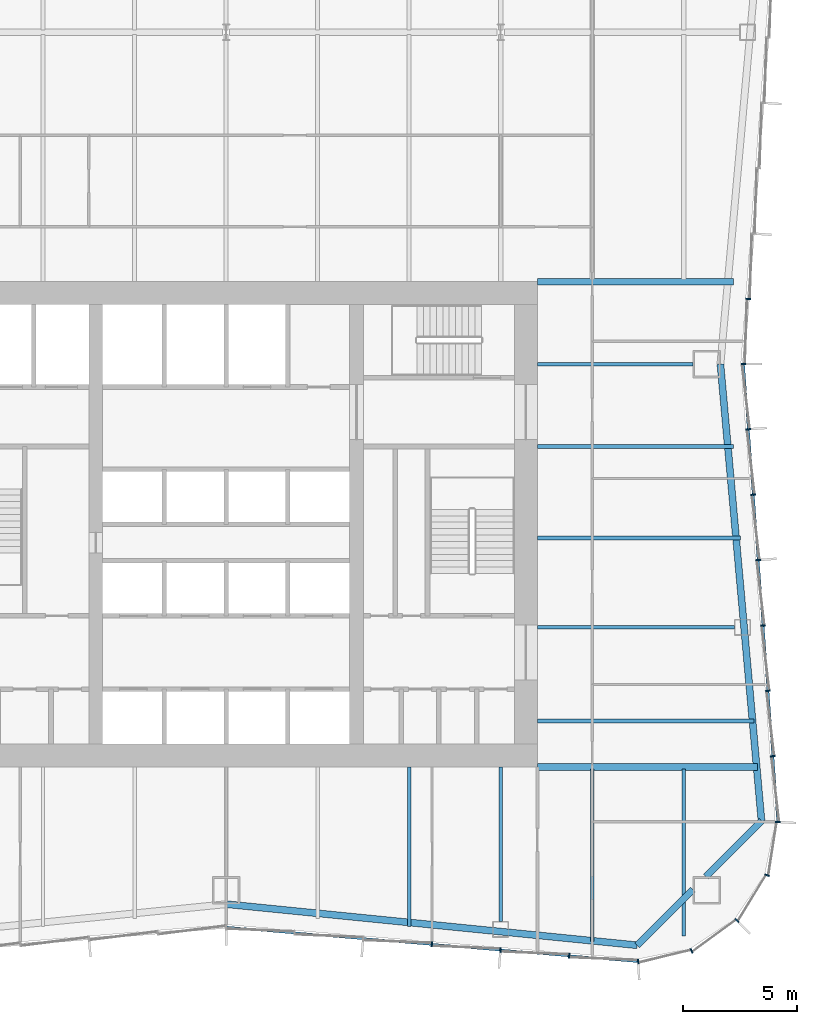
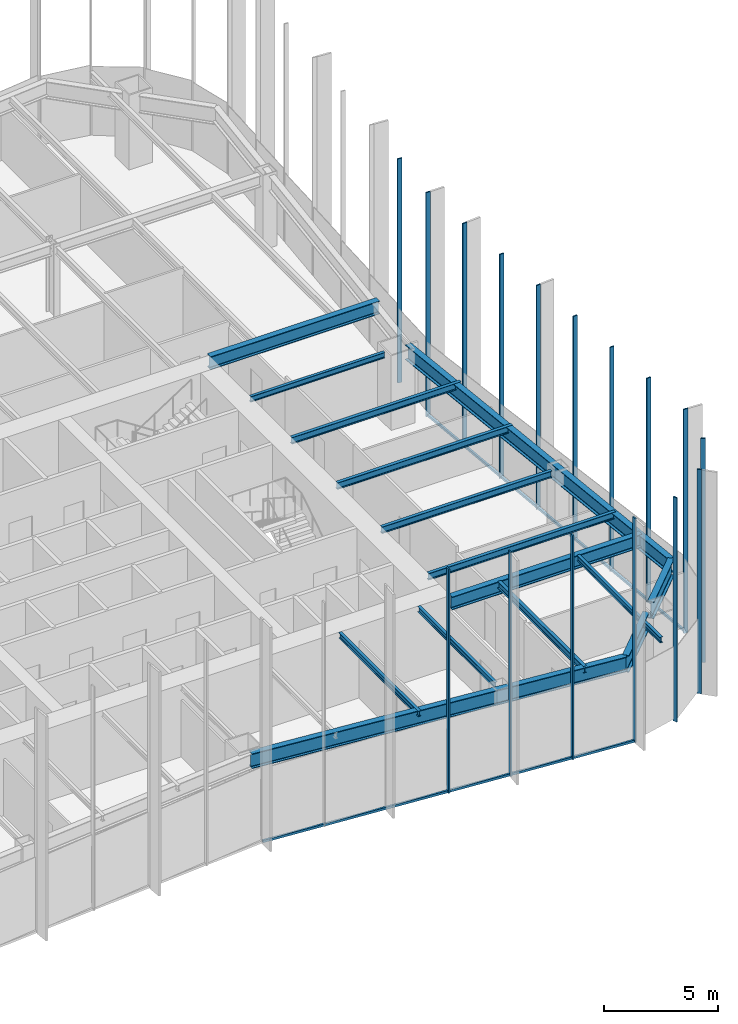
# One storey, part 4 of 13: 18 members, 15 beams, 3 elements without a shape of their own.
"""IFC4 building model written with IfcOpenShell, lengths in metres."""

from ifc_helpers import new_model, si_unit, direction, frame, origin, origin_2d, place, context, subcontext, project, spatial, rectangle, i_section, extrude, material, material_profile, profile_set, type_object, element, aggregate, save


model = new_model("IFC4")

# Units and contexts
model_context = context("Model", 3, precision=1e-05, world=origin(), true_north=direction((0.0, 1.0)))
body_context = subcontext(model_context, "Body", "Model", "MODEL_VIEW")
ifc_project = project(units=[si_unit("LENGTHUNIT", "METRE"), si_unit("AREAUNIT", "SQUARE_METRE"), si_unit("VOLUMEUNIT", "CUBIC_METRE"), si_unit("PLANEANGLEUNIT", "RADIAN"), si_unit("MASSUNIT", "GRAM", prefix="KILO")], contexts=[model_context])

# Site, building, storey
site_placement = place(None, origin())
site = spatial("IfcSite", under=ifc_project, at=site_placement, CompositionType="ELEMENT")
building_placement = place(site_placement, origin())
building = spatial("IfcBuilding", under=site, at=building_placement, Name="Verdant Reach Tower", CompositionType="ELEMENT")
storey_placement = place(building_placement, frame((0.0, 0.0, 126.0)))
storey = spatial("IfcBuildingStorey", under=building, at=storey_placement, Name="L28", CompositionType="ELEMENT", Elevation=126.0)

# Curtain wall, members
ifc_material_1 = material(Name="Anodised aluminium", Category="aluminium")
curtain_wall_type = type_object("IfcCurtainWallType", Name="EN-CW SYSTEM Z2", PredefinedType="NOTDEFINED", material=ifc_material_1)
curtain_wall_1_placement = place(storey_placement, origin())
curtain_wall_1 = element("IfcCurtainWall", 1, at=curtain_wall_1_placement, inside=storey, type_object=curtain_wall_type, Name="Curtain wall south-east corner, L28", PredefinedType="NOTDEFINED")
ifc_material_profile_1 = material_profile(ifc_material_1, rectangle(XDim=0.2119140625, YDim=0.06396484375, at=origin_2d()), Name="Mullion 64x212")
ifc_profile_set_1 = profile_set([ifc_material_profile_1], Name="Anodised aluminium")
member_type_1 = type_object("IfcMemberType", Name="EN-MULLION Z2", PredefinedType="MULLION", material=ifc_profile_set_1)
member_1_placement = place(storey_placement, frame((18.006103515625, 8.894287109375, -0.35009765625), z_axis=(0.0, 0.0, 1.0), x_axis=(0.056569187765, -0.998398681387, 0.0)))
member_1 = element("IfcMember", 2, at=member_1_placement, type_object=member_type_1, Name="Mullion south-east corner 1, L28", PredefinedType="MULLION", context=body_context, shape_type="SweptSolid", body=[
    extrude(rectangle(XDim=0.2119140625, YDim=0.06396484375, at=origin_2d()), origin(), (0.0, 0.0, 1.0), 12.0),
])
member_2_placement = place(storey_placement, frame((20.336669921875, 9.35888671875, -0.35009765625), z_axis=(0.0, 0.0, 1.0), x_axis=(0.382693853776, -0.923875215753, 0.0)))
member_2 = element("IfcMember", 3, at=member_2_placement, type_object=member_type_1, Name="Mullion south-east corner 2, L28", PredefinedType="MULLION", context=body_context, shape_type="SweptSolid", body=[
    extrude(rectangle(XDim=0.2119140625, YDim=0.06396484375, at=origin_2d()), origin(), (0.0, 0.0, 1.0), 12.0),
])
member_3_placement = place(storey_placement, frame((22.317626953125, 10.682373046875, -0.35009765625), z_axis=(0.0, 0.0, 1.0), x_axis=(0.707106781187, -0.707106781187, 0.0)))
member_3 = element("IfcMember", 4, at=member_3_placement, type_object=member_type_1, Name="Mullion south-east corner 3, L28", PredefinedType="MULLION", context=body_context, shape_type="SweptSolid", body=[
    extrude(rectangle(XDim=0.2119140625, YDim=0.06396484375, at=origin_2d()), origin(), (0.0, 0.0, 1.0), 12.0),
])
member_4_placement = place(storey_placement, frame((23.64111328125, 12.663330078125, -0.35009765625), z_axis=(0.0, 0.0, 1.0), x_axis=(0.923875215753, -0.382693853776, 0.0)))
member_4 = element("IfcMember", 5, at=member_4_placement, type_object=member_type_1, Name="Mullion south-east corner 4, L28", PredefinedType="MULLION", context=body_context, shape_type="SweptSolid", body=[
    extrude(rectangle(XDim=0.2119140625, YDim=0.06396484375, at=origin_2d()), origin(), (0.0, 0.0, 1.0), 12.0),
])
aggregate(curtain_wall_1, [member_1, member_2, member_3, member_4])

curtain_wall_2_placement = place(storey_placement, origin())
curtain_wall_2 = element("IfcCurtainWall", 6, at=curtain_wall_2_placement, inside=storey, type_object=curtain_wall_type, Name="Curtain wall east, L28", PredefinedType="NOTDEFINED")
member_5_placement = place(storey_placement, frame((24.105712890625, 14.99365234375, -0.35009765625), z_axis=(0.0, 0.0, 1.0), x_axis=(0.998155887542, -0.060702752526, 0.0)))
member_5 = element("IfcMember", 7, at=member_5_placement, type_object=member_type_1, Name="Mullion east face part 1 1, L28", PredefinedType="MULLION", context=body_context, shape_type="SweptSolid", body=[
    extrude(rectangle(XDim=0.2119140625, YDim=0.06396484375, at=origin_2d()), origin(), (0.0, 0.0, 1.0), 12.0),
])
member_6_placement = place(storey_placement, frame((23.891357421875, 17.864990234375, -0.35009765625), z_axis=(0.0, 0.0, 1.0), x_axis=(0.997199309888, 0.074789948245, 0.0)))
member_6 = element("IfcMember", 8, at=member_6_placement, type_object=member_type_1, Name="Mullion east face part 1 2, L28", PredefinedType="MULLION", context=body_context, shape_type="SweptSolid", body=[
    extrude(rectangle(XDim=0.2119140625, YDim=0.06396484375, at=origin_2d()), origin(), (0.0, 0.0, 1.0), 12.0),
])
member_7_placement = place(storey_placement, frame((23.67724609375, 20.72216796875, -0.35009765625), z_axis=(0.0, 0.0, 1.0), x_axis=(0.997199309888, 0.074789948245, 0.0)))
member_7 = element("IfcMember", 9, at=member_7_placement, type_object=member_type_1, Name="Mullion east face part 1 3, L28", PredefinedType="MULLION", context=body_context, shape_type="SweptSolid", body=[
    extrude(rectangle(XDim=0.2119140625, YDim=0.06396484375, at=origin_2d()), origin(), (0.0, 0.0, 1.0), 12.0),
])
member_8_placement = place(storey_placement, frame((23.462890625, 23.579345703125, -0.35009765625), z_axis=(0.0, 0.0, 1.0), x_axis=(0.997199309888, 0.074789948245, 0.0)))
member_8 = element("IfcMember", 10, at=member_8_placement, type_object=member_type_1, Name="Mullion east face part 1 4, L28", PredefinedType="MULLION", context=body_context, shape_type="SweptSolid", body=[
    extrude(rectangle(XDim=0.2119140625, YDim=0.06396484375, at=origin_2d()), origin(), (0.0, 0.0, 1.0), 12.0),
])
member_9_placement = place(storey_placement, frame((23.24853515625, 26.4365234375, -0.35009765625), z_axis=(0.0, 0.0, 1.0), x_axis=(0.997199309888, 0.074789948245, 0.0)))
member_9 = element("IfcMember", 11, at=member_9_placement, type_object=member_type_1, Name="Mullion east face part 1 5, L28", PredefinedType="MULLION", context=body_context, shape_type="SweptSolid", body=[
    extrude(rectangle(XDim=0.2119140625, YDim=0.06396484375, at=origin_2d()), origin(), (0.0, 0.0, 1.0), 12.0),
])
member_10_placement = place(storey_placement, frame((23.0341796875, 29.293701171875, -0.35009765625), z_axis=(0.0, 0.0, 1.0), x_axis=(0.997199309888, 0.074789948245, 0.0)))
member_10 = element("IfcMember", 12, at=member_10_placement, type_object=member_type_1, Name="Mullion east face part 1 6, L28", PredefinedType="MULLION", context=body_context, shape_type="SweptSolid", body=[
    extrude(rectangle(XDim=0.2119140625, YDim=0.06396484375, at=origin_2d()), origin(), (0.0, 0.0, 1.0), 12.0),
])
member_11_placement = place(storey_placement, frame((22.820068359375, 32.15087890625, -0.35009765625), z_axis=(0.0, 0.0, 1.0), x_axis=(0.997199309888, 0.074789948245, 0.0)))
member_11 = element("IfcMember", 13, at=member_11_placement, type_object=member_type_1, Name="Mullion east face part 1 7, L28", PredefinedType="MULLION", context=body_context, shape_type="SweptSolid", body=[
    extrude(rectangle(XDim=0.2119140625, YDim=0.06396484375, at=origin_2d()), origin(), (0.0, 0.0, 1.0), 12.0),
])
member_12_placement = place(storey_placement, frame((22.60595703125, 35.0, -0.35009765625), z_axis=(0.0, 0.0, 1.0), x_axis=(1.0, 0.0, 0.0)))
member_12 = element("IfcMember", 14, at=member_12_placement, type_object=member_type_1, Name="Mullion east face part 2 1, L28", PredefinedType="MULLION", context=body_context, shape_type="SweptSolid", body=[
    extrude(rectangle(XDim=0.2119140625, YDim=0.06396484375, at=origin_2d()), origin(), (0.0, 0.0, 1.0), 12.0),
])
member_13_placement = place(storey_placement, frame((22.820068359375, 37.84912109375, -0.35009765625), z_axis=(0.0, 0.0, 1.0), x_axis=(0.997199309888, -0.074789948245, 0.0)))
member_13 = element("IfcMember", 15, at=member_13_placement, type_object=member_type_1, Name="Mullion east face part 2 2, L28", PredefinedType="MULLION", context=body_context, shape_type="SweptSolid", body=[
    extrude(rectangle(XDim=0.2119140625, YDim=0.06396484375, at=origin_2d()), origin(), (0.0, 0.0, 1.0), 12.0),
])

curtain_wall_3_placement = place(storey_placement, origin())
curtain_wall_3 = element("IfcCurtainWall", 16, at=curtain_wall_3_placement, inside=storey, type_object=curtain_wall_type, Name="Curtain wall south, L28", PredefinedType="NOTDEFINED")
member_14_placement = place(storey_placement, frame((8.9912109375, 9.644287109375, -0.35009765625), z_axis=(0.0, 0.0, 1.0), x_axis=(-0.083045479859, -0.996545758244, 0.0)))
member_14 = element("IfcMember", 17, at=member_14_placement, type_object=member_type_1, Name="Mullion south face part 2 4, L28", PredefinedType="MULLION", context=body_context, shape_type="SweptSolid", body=[
    extrude(rectangle(XDim=0.2119140625, YDim=0.06396484375, at=origin_2d()), origin(), (0.0, 0.0, 1.0), 12.0),
])
member_15_placement = place(storey_placement, frame((11.9912109375, 9.394287109375, -0.35009765625), z_axis=(0.0, 0.0, 1.0), x_axis=(-0.083045479859, -0.996545758244, 0.0)))
member_15 = element("IfcMember", 18, at=member_15_placement, type_object=member_type_1, Name="Mullion south face part 2 5, L28", PredefinedType="MULLION", context=body_context, shape_type="SweptSolid", body=[
    extrude(rectangle(XDim=0.2119140625, YDim=0.06396484375, at=origin_2d()), origin(), (0.0, 0.0, 1.0), 12.0),
])
member_16_placement = place(storey_placement, frame((14.9912109375, 9.144287109375, -0.35009765625), z_axis=(0.0, 0.0, 1.0), x_axis=(-0.083045479859, -0.996545758244, 0.0)))
member_16 = element("IfcMember", 19, at=member_16_placement, type_object=member_type_1, Name="Mullion south face part 2 6, L28", PredefinedType="MULLION", context=body_context, shape_type="SweptSolid", body=[
    extrude(rectangle(XDim=0.2119140625, YDim=0.06396484375, at=origin_2d()), origin(), (0.0, 0.0, 1.0), 12.0),
])

# Member
ifc_material_profile_2 = material_profile(ifc_material_1, rectangle(XDim=0.10009765625, YDim=0.1240234375, at=origin_2d()), Name="Transom 124x100")
ifc_profile_set_2 = profile_set([ifc_material_profile_2], Name="Anodised aluminium")
member_type_2 = type_object("IfcMemberType", Name="EN-TRANSOM Z2", PredefinedType="USERDEFINED", material=ifc_profile_set_2)
member_17_placement = place(storey_placement, frame((24.103515625, 15.025390625, -0.2880859375), z_axis=(-0.07476111665, 0.997201471839, 0.0), x_axis=(-0.997201471839, -0.07476111665, 0.0)))
member_17 = element("IfcMember", 20, at=member_17_placement, type_object=member_type_2, Name="Transom east face part 1 1.1, L28", ObjectType="TRANSOM", PredefinedType="USERDEFINED", context=body_context, shape_type="SweptSolid", body=[
    extrude(rectangle(XDim=0.10009765625, YDim=0.1240234375, at=origin_2d()), origin(), (0.0, 0.0, 1.0), 19.99853515625),
])

aggregate(curtain_wall_2, [member_5, member_6, member_7, member_8, member_9, member_10, member_11, member_17, member_12, member_13])

member_18_placement = place(storey_placement, frame((0.031982421875, 10.391357421875, -0.2880859375), z_axis=(0.996548282776, -0.083015179915, 0.0), x_axis=(0.083015179915, 0.996548282776, 0.0)))
member_18 = element("IfcMember", 21, at=member_18_placement, type_object=member_type_2, Name="Transom south face part 2 1.1, L28", ObjectType="TRANSOM", PredefinedType="USERDEFINED", context=body_context, shape_type="SweptSolid", body=[
    extrude(rectangle(XDim=0.10009765625, YDim=0.1240234375, at=origin_2d()), origin(), (0.0, 0.0, 1.0), 18.00439453125),
])

aggregate(curtain_wall_3, [member_14, member_15, member_16, member_18])

# Beams
ifc_material_2 = material(Name="Steel S355", Category="steel")
ifc_material_profile_3 = material_profile(ifc_material_2, i_section(OverallWidth=0.300048828125, OverallDepth=0.699951171875, WebThickness=0.01708984375, FlangeThickness=0.031982421875, FilletRadius=0.027099609375, at=origin_2d()), Name="HEB 700")
ifc_profile_set_3 = profile_set([ifc_material_profile_3], Name="Steel S355")
beam_type_1 = type_object("IfcBeamType", Name="ST-BEAM-HEB700", PredefinedType="BEAM", material=ifc_profile_set_3)
beam_1_placement = place(storey_placement, frame((13.60009765625, 38.60009765625, 3.52001953125), z_axis=(1.0, 0.0, 0.0), x_axis=(0.0, 1.0, 0.0)))
element("IfcBeam", 22, at=beam_1_placement, inside=storey, type_object=beam_type_1, Name="Trimmer beam, L28", PredefinedType="BEAM", context=body_context, shape_type="SweptSolid", body=[
    extrude(i_section(OverallWidth=0.300048828125, OverallDepth=0.699951171875, WebThickness=0.01708984375, FlangeThickness=0.031982421875, FilletRadius=0.027099609375, at=origin_2d()), origin(), (0.0, 0.0, 1.0), 8.568115234375),
])
beam_2_placement = place(storey_placement, frame((13.60009765625, 17.39990234375, 3.52001953125), z_axis=(1.0, 0.0, 0.0), x_axis=(0.0, 1.0, 0.0)))
element("IfcBeam", 23, at=beam_2_placement, inside=storey, type_object=beam_type_1, Name="Trimmer beam, L28", PredefinedType="BEAM", context=body_context, shape_type="SweptSolid", body=[
    extrude(i_section(OverallWidth=0.300048828125, OverallDepth=0.699951171875, WebThickness=0.01708984375, FlangeThickness=0.031982421875, FilletRadius=0.027099609375, at=origin_2d()), origin(), (0.0, 0.0, 1.0), 9.6181640625),
])
ifc_material_profile_4 = material_profile(ifc_material_2, i_section(OverallWidth=0.14990234375, OverallDepth=0.300048828125, WebThickness=0.007080078125, FlangeThickness=0.0107421875, FilletRadius=0.014892578125, at=origin_2d()), Name="IPE 300")
ifc_profile_set_4 = profile_set([ifc_material_profile_4], Name="Steel S355")
beam_type_2 = type_object("IfcBeamType", Name="ST-JOIST-IPE300", PredefinedType="JOIST", material=ifc_profile_set_4)
beam_3_placement = place(storey_placement, frame((8.0, 17.39990234375, 3.719970703125), z_axis=(0.0, -1.0, 0.0), x_axis=(1.0, 0.0, 0.0)))
element("IfcBeam", 24, at=beam_3_placement, inside=storey, type_object=beam_type_2, Name="Floor joist, L28", PredefinedType="JOIST", context=body_context, shape_type="SweptSolid", body=[
    extrude(i_section(OverallWidth=0.14990234375, OverallDepth=0.300048828125, WebThickness=0.007080078125, FlangeThickness=0.0107421875, FilletRadius=0.014892578125, at=origin_2d()), origin(), (0.0, 0.0, 1.0), 6.964599609375),
])
beam_4_placement = place(storey_placement, frame((12.0, 17.39990234375, 3.719970703125), z_axis=(0.0, -1.0, 0.0), x_axis=(1.0, 0.0, 0.0)))
element("IfcBeam", 25, at=beam_4_placement, inside=storey, type_object=beam_type_2, Name="Floor joist, L28", PredefinedType="JOIST", context=body_context, shape_type="SweptSolid", body=[
    extrude(i_section(OverallWidth=0.14990234375, OverallDepth=0.300048828125, WebThickness=0.007080078125, FlangeThickness=0.0107421875, FilletRadius=0.014892578125, at=origin_2d()), origin(), (0.0, 0.0, 1.0), 6.75),
])
beam_5_placement = place(storey_placement, frame((20.0, 17.300048828125, 3.719970703125), z_axis=(0.0, -1.0, 0.0), x_axis=(1.0, 0.0, 0.0)))
element("IfcBeam", 26, at=beam_5_placement, inside=storey, type_object=beam_type_2, Name="Floor joist, L28", PredefinedType="JOIST", context=body_context, shape_type="SweptSolid", body=[
    extrude(i_section(OverallWidth=0.14990234375, OverallDepth=0.300048828125, WebThickness=0.007080078125, FlangeThickness=0.0107421875, FilletRadius=0.014892578125, at=origin_2d()), origin(), (0.0, 0.0, 1.0), 7.29052734375),
])
beam_6_placement = place(storey_placement, frame((13.60009765625, 35.0, 3.719970703125), z_axis=(1.0, 0.0, 0.0), x_axis=(0.0, 1.0, 0.0)))
element("IfcBeam", 27, at=beam_6_placement, inside=storey, type_object=beam_type_2, Name="Floor joist, L28", PredefinedType="JOIST", context=body_context, shape_type="SweptSolid", body=[
    extrude(i_section(OverallWidth=0.14990234375, OverallDepth=0.300048828125, WebThickness=0.007080078125, FlangeThickness=0.0107421875, FilletRadius=0.014892578125, at=origin_2d()), origin(), (0.0, 0.0, 1.0), 6.7998046875),
])
ifc_material_profile_5 = material_profile(ifc_material_2, i_section(OverallWidth=0.169921875, OverallDepth=0.360107421875, WebThickness=0.008056640625, FlangeThickness=0.0126953125, FilletRadius=0.01806640625, at=origin_2d()), Name="IPE 360")
ifc_profile_set_5 = profile_set([ifc_material_profile_5], Name="Steel S355")
beam_type_3 = type_object("IfcBeamType", Name="ST-JOIST-IPE360", PredefinedType="JOIST", material=ifc_profile_set_5)
beam_7_placement = place(storey_placement, frame((16.0, 17.300048828125, 3.68994140625), z_axis=(0.0, -1.0, 0.0), x_axis=(1.0, 0.0, 0.0)))
element("IfcBeam", 28, at=beam_7_placement, inside=storey, type_object=beam_type_3, Name="Floor joist, L28", PredefinedType="JOIST", context=body_context, shape_type="SweptSolid", body=[
    extrude(i_section(OverallWidth=0.169921875, OverallDepth=0.360107421875, WebThickness=0.008056640625, FlangeThickness=0.0126953125, FilletRadius=0.01806640625, at=origin_2d()), origin(), (0.0, 0.0, 1.0), 7.53125),
])
beam_8_placement = place(storey_placement, frame((13.60009765625, 19.39990234375, 3.68994140625), z_axis=(1.0, 0.0, 0.0), x_axis=(0.0, 1.0, 0.0)))
element("IfcBeam", 29, at=beam_8_placement, inside=storey, type_object=beam_type_3, Name="Floor joist, L28", PredefinedType="JOIST", context=body_context, shape_type="SweptSolid", body=[
    extrude(i_section(OverallWidth=0.169921875, OverallDepth=0.360107421875, WebThickness=0.008056640625, FlangeThickness=0.0126953125, FilletRadius=0.01806640625, at=origin_2d()), origin(), (0.0, 0.0, 1.0), 9.46826171875),
])
beam_9_placement = place(storey_placement, frame((13.60009765625, 23.5, 3.68994140625), z_axis=(1.0, 0.0, 0.0), x_axis=(0.0, 1.0, 0.0)))
element("IfcBeam", 30, at=beam_9_placement, inside=storey, type_object=beam_type_3, Name="Floor joist, L28", PredefinedType="JOIST", context=body_context, shape_type="SweptSolid", body=[
    extrude(i_section(OverallWidth=0.169921875, OverallDepth=0.360107421875, WebThickness=0.008056640625, FlangeThickness=0.0126953125, FilletRadius=0.01806640625, at=origin_2d()), origin(), (0.0, 0.0, 1.0), 8.6123046875),
])
beam_10_placement = place(storey_placement, frame((13.60009765625, 27.39990234375, 3.68994140625), z_axis=(1.0, 0.0, 0.0), x_axis=(0.0, 1.0, 0.0)))
element("IfcBeam", 31, at=beam_10_placement, inside=storey, type_object=beam_type_3, Name="Floor joist, L28", PredefinedType="JOIST", context=body_context, shape_type="SweptSolid", body=[
    extrude(i_section(OverallWidth=0.169921875, OverallDepth=0.360107421875, WebThickness=0.008056640625, FlangeThickness=0.0126953125, FilletRadius=0.01806640625, at=origin_2d()), origin(), (0.0, 0.0, 1.0), 8.8681640625),
])
beam_11_placement = place(storey_placement, frame((13.60009765625, 31.39990234375, 3.68994140625), z_axis=(1.0, 0.0, 0.0), x_axis=(0.0, 1.0, 0.0)))
element("IfcBeam", 32, at=beam_11_placement, inside=storey, type_object=beam_type_3, Name="Floor joist, L28", PredefinedType="JOIST", context=body_context, shape_type="SweptSolid", body=[
    extrude(i_section(OverallWidth=0.169921875, OverallDepth=0.360107421875, WebThickness=0.008056640625, FlangeThickness=0.0126953125, FilletRadius=0.01806640625, at=origin_2d()), origin(), (0.0, 0.0, 1.0), 8.568115234375),
])
ifc_material_profile_6 = material_profile(ifc_material_2, i_section(OverallWidth=0.300048828125, OverallDepth=0.800048828125, WebThickness=0.017578125, FlangeThickness=0.032958984375, FilletRadius=0.030029296875, at=origin_2d()), Name="HEB 800")
ifc_profile_set_6 = profile_set([ifc_material_profile_6], Name="Steel S355")
beam_type_4 = type_object("IfcBeamType", Name="ST-SPANDREL-HEB800", PredefinedType="SPANDREL", material=ifc_profile_set_6)
beam_12_placement = place(storey_placement, frame((17.9658203125, 9.60498046875, 3.469970703125), z_axis=(-0.995046289869, 0.099412680371, 0.0), x_axis=(-0.099412680371, -0.995046289869, 0.0)))
element("IfcBeam", 33, at=beam_12_placement, inside=storey, type_object=beam_type_4, Name="Edge beam, L28", PredefinedType="SPANDREL", context=body_context, shape_type="SweptSolid", body=[
    extrude(i_section(OverallWidth=0.300048828125, OverallDepth=0.800048828125, WebThickness=0.017578125, FlangeThickness=0.032958984375, FilletRadius=0.030029296875, at=origin_2d()), origin(), (0.0, 0.0, 1.0), 18.05517578125),
])
beam_13_placement = place(storey_placement, frame((21.60009765625, 35.0, 3.469970703125), z_axis=(0.089574749266, -0.995980102358, 0.0), x_axis=(0.995980102358, 0.089574749266, 0.0)))
element("IfcBeam", 34, at=beam_13_placement, inside=storey, type_object=beam_type_4, Name="Edge beam, L28", PredefinedType="SPANDREL", context=body_context, shape_type="SweptSolid", body=[
    extrude(i_section(OverallWidth=0.300048828125, OverallDepth=0.800048828125, WebThickness=0.017578125, FlangeThickness=0.032958984375, FilletRadius=0.030029296875, at=origin_2d()), origin(), (0.0, 0.0, 1.0), 20.043701171875),
])
ifc_material_profile_7 = material_profile(ifc_material_2, i_section(OverallWidth=0.302001953125, OverallDepth=0.909912109375, WebThickness=0.02099609375, FlangeThickness=0.0400390625, FilletRadius=0.030029296875, at=origin_2d()), Name="HEM 900")
ifc_profile_set_7 = profile_set([ifc_material_profile_7], Name="Steel S355")
beam_type_5 = type_object("IfcBeamType", Name="ST-SPANDREL-HEM900", PredefinedType="SPANDREL", material=ifc_profile_set_7)
beam_14_placement = place(storey_placement, frame((23.3955078125, 15.036865234375, 3.4150390625), z_axis=(-0.706965048022, -0.707248485948, 0.0), x_axis=(0.707248485948, -0.706965048022, 0.0)))
element("IfcBeam", 35, at=beam_14_placement, inside=storey, type_object=beam_type_5, Name="Edge beam, L28", PredefinedType="SPANDREL", context=body_context, shape_type="SweptSolid", body=[
    extrude(i_section(OverallWidth=0.302001953125, OverallDepth=0.909912109375, WebThickness=0.02099609375, FlangeThickness=0.0400390625, FilletRadius=0.030029296875, at=origin_2d()), origin(), (0.0, 0.0, 1.0), 3.4453125),
])
beam_15_placement = place(storey_placement, frame((20.39990234375, 12.0400390625, 3.4150390625), z_axis=(-0.70696494852, -0.70724858541, 0.0), x_axis=(0.70724858541, -0.70696494852, 0.0)))
element("IfcBeam", 36, at=beam_15_placement, inside=storey, type_object=beam_type_5, Name="Edge beam, L28", PredefinedType="SPANDREL", context=body_context, shape_type="SweptSolid", body=[
    extrude(i_section(OverallWidth=0.302001953125, OverallDepth=0.909912109375, WebThickness=0.02099609375, FlangeThickness=0.0400390625, FilletRadius=0.030029296875, at=origin_2d()), origin(), (0.0, 0.0, 1.0), 3.443115234375),
])

save(model, "model.ifc")
